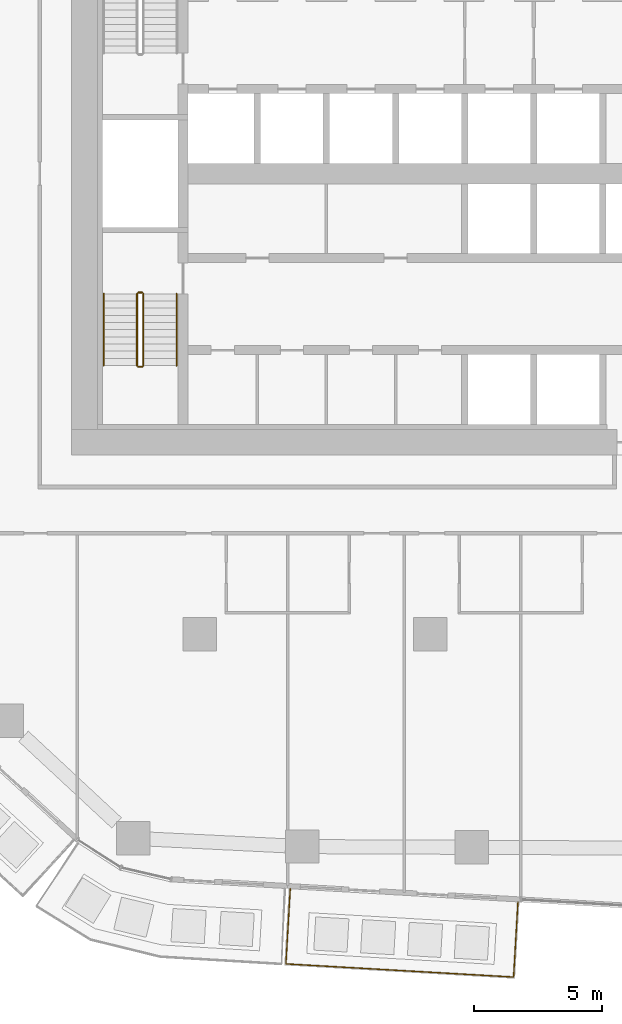
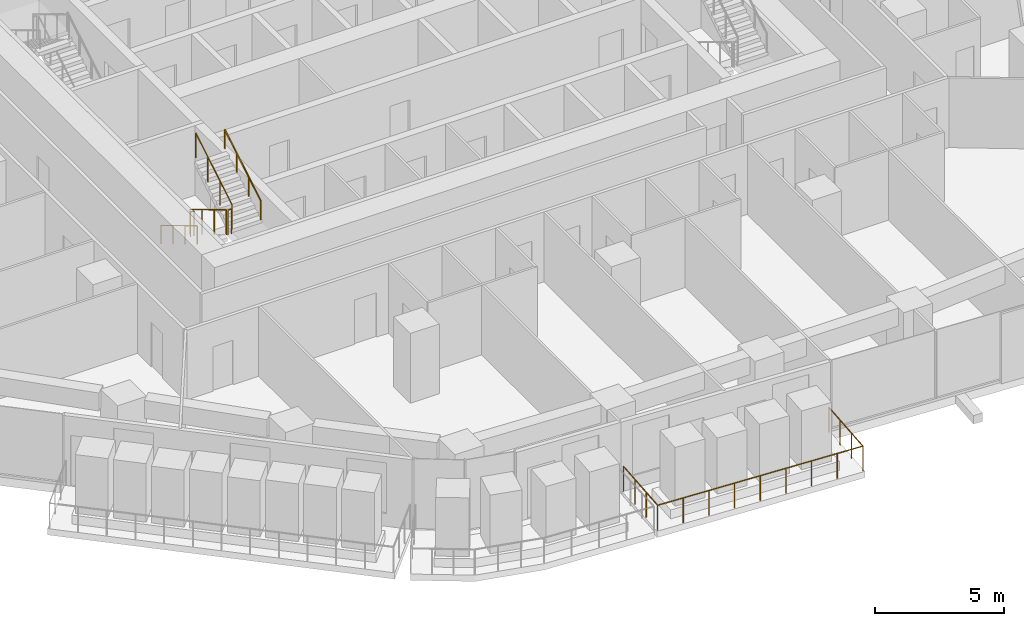
# One storey, part 20 of 24: 7 railings.
"""IFC4 building model written with IfcOpenShell, lengths in metres."""

from ifc_helpers import new_model, si_unit, direction, frame, origin, origin_2d, place, context, subcontext, project, spatial, circle, extrude, material, type_object, element, save


model = new_model("IFC4")

# Units and contexts
model_context = context("Model", 3, precision=1e-05, world=origin(), true_north=direction((0.0, 1.0)))
body_context = subcontext(model_context, "Body", "Model", "MODEL_VIEW")
ifc_project = project(units=[si_unit("LENGTHUNIT", "METRE"), si_unit("AREAUNIT", "SQUARE_METRE"), si_unit("VOLUMEUNIT", "CUBIC_METRE"), si_unit("PLANEANGLEUNIT", "RADIAN"), si_unit("MASSUNIT", "GRAM", prefix="KILO")], contexts=[model_context])

# Site, building, storey
site_placement = place(None, origin())
site = spatial("IfcSite", under=ifc_project, at=site_placement, CompositionType="ELEMENT")
building_placement = place(site_placement, origin())
building = spatial("IfcBuilding", under=site, at=building_placement, Name="Dongbaek Canopy Tower", CompositionType="ELEMENT")
storey_placement = place(building_placement, frame((0.0, 0.0, 117.39990234375)))
storey = spatial("IfcBuildingStorey", under=building, at=storey_placement, Name="L25", CompositionType="ELEMENT", Elevation=117.39990234375)

# Railings
ifc_material_1 = material(Name="Stainless steel", Category="steel")
railing_type_1 = type_object("IfcRailingType", Name="Balcony balustrade 1200", PredefinedType="BALUSTRADE", material=ifc_material_1)
railing_1_placement = place(storey_placement, frame((-5.463134765625, -27.936767578125, 0.0)))
element("IfcRailing", 1, at=railing_1_placement, inside=storey, type_object=railing_type_1, Name="Balcony guard L25 4", PredefinedType="BALUSTRADE", context=body_context, shape_type="SweptSolid", body=[
    extrude(circle(Radius=0.02392578125, at=origin_2d()), frame((0.0, 0.0, 1.17578125), z_axis=(-0.057714318081, -0.998333139532, 0.0), x_axis=(0.998333139532, -0.057714318081, 0.0)), (0.0, 0.0, 1.0), 2.93994140625),
    extrude(circle(Radius=0.02392578125, at=origin_2d()), frame((-0.169677734375, -2.93505859375, 1.17578125), z_axis=(0.998331079931, -0.057749933709, 0.0), x_axis=(0.057749933709, 0.998331079931, 0.0)), (0.0, 0.0, 1.0), 8.907470703125),
    extrude(circle(Radius=0.02392578125, at=origin_2d()), frame((8.722900390625, -3.449462890625, 1.17578125), z_axis=(0.057797083062, 0.99832835139, 0.0), x_axis=(-0.99832835139, 0.057797083062, 0.0)), (0.0, 0.0, 1.0), 2.93994140625),
    extrude(circle(Radius=0.02099609375, at=origin_2d()), origin(), (0.0, 0.0, 1.0), 1.15185546875),
    extrude(circle(Radius=0.02099609375, at=origin_2d()), frame((-0.056640625, -0.978271484375, 0.0)), (0.0, 0.0, 1.0), 1.15185546875),
    extrude(circle(Radius=0.02099609375, at=origin_2d()), frame((-0.113037109375, -1.956787109375, 0.0)), (0.0, 0.0, 1.0), 1.15185546875),
    extrude(circle(Radius=0.02099609375, at=origin_2d()), frame((-0.169677734375, -2.93505859375, 0.0)), (0.0, 0.0, 1.0), 1.15185546875),
    extrude(circle(Radius=0.02099609375, at=origin_2d()), frame((0.94189453125, -2.999267578125, 0.0)), (0.0, 0.0, 1.0), 1.15185546875),
    extrude(circle(Radius=0.02099609375, at=origin_2d()), frame((2.053466796875, -3.063720703125, 0.0)), (0.0, 0.0, 1.0), 1.15185546875),
    extrude(circle(Radius=0.02099609375, at=origin_2d()), frame((3.1650390625, -3.1279296875, 0.0)), (0.0, 0.0, 1.0), 1.15185546875),
    extrude(circle(Radius=0.02099609375, at=origin_2d()), frame((4.276611328125, -3.1923828125, 0.0)), (0.0, 0.0, 1.0), 1.15185546875),
    extrude(circle(Radius=0.02099609375, at=origin_2d()), frame((5.38818359375, -3.256591796875, 0.0)), (0.0, 0.0, 1.0), 1.15185546875),
    extrude(circle(Radius=0.02099609375, at=origin_2d()), frame((6.499755859375, -3.32080078125, 0.0)), (0.0, 0.0, 1.0), 1.15185546875),
    extrude(circle(Radius=0.02099609375, at=origin_2d()), frame((7.611328125, -3.38525390625, 0.0)), (0.0, 0.0, 1.0), 1.15185546875),
    extrude(circle(Radius=0.02099609375, at=origin_2d()), frame((8.722900390625, -3.449462890625, 0.0)), (0.0, 0.0, 1.0), 1.15185546875),
    extrude(circle(Radius=0.02099609375, at=origin_2d()), frame((8.779541015625, -2.47119140625, 0.0)), (0.0, 0.0, 1.0), 1.15185546875),
    extrude(circle(Radius=0.02099609375, at=origin_2d()), frame((8.836181640625, -1.49267578125, 0.0)), (0.0, 0.0, 1.0), 1.15185546875),
    extrude(circle(Radius=0.02099609375, at=origin_2d()), frame((8.892822265625, -0.514404296875, 0.0)), (0.0, 0.0, 1.0), 1.15185546875),
])
ifc_material_2 = material(Name="Stainless steel tube and balusters", Category="steel")
railing_type_2 = type_object("IfcRailingType", Name="Stair guard 1200", PredefinedType="GUARDRAIL", material=ifc_material_2)
railing_2_placement = place(storey_placement, frame((-11.449951171875, -4.699951171875, 0.168212890625)))
element("IfcRailing", 2, at=railing_2_placement, inside=storey, type_object=railing_type_2, Name="L25 ST-D stair guard 1", PredefinedType="GUARDRAIL", context=body_context, shape_type="SweptSolid", body=[
    extrude(circle(Radius=0.02392578125, at=origin_2d()), frame((0.0, 0.0, 1.17578125), z_axis=(0.0, -0.857242210791, 0.514913383045), x_axis=(1.0, 0.0, 0.0)), (0.0, 0.0, 1.0), 3.266357421875),
    extrude(circle(Radius=0.02099609375, at=origin_2d()), origin(), (0.0, 0.0, 1.0), 1.15185546875),
    extrude(circle(Radius=0.02099609375, at=origin_2d()), frame((0.0, -0.933349609375, 0.560546875)), (0.0, 0.0, 1.0), 1.15185546875),
    extrude(circle(Radius=0.02099609375, at=origin_2d()), frame((0.0, -1.86669921875, 1.121337890625)), (0.0, 0.0, 1.0), 1.15185546875),
    extrude(circle(Radius=0.02099609375, at=origin_2d()), frame((0.0, -2.800048828125, 1.681884765625)), (0.0, 0.0, 1.0), 1.15185546875),
])
railing_3_placement = place(storey_placement, frame((-11.39990234375, -7.550048828125, 1.85009765625)))
element("IfcRailing", 3, at=railing_3_placement, inside=storey, type_object=railing_type_2, Name="L25 ST-D stair guard 2", PredefinedType="GUARDRAIL", context=body_context, shape_type="SweptSolid", body=[
    extrude(circle(Radius=0.02392578125, at=origin_2d()), frame((0.0, 0.0, 1.17578125), z_axis=(1.0, 0.0, 0.0), x_axis=(0.0, 1.0, 0.0)), (0.0, 0.0, 1.0), 0.14990234375),
    extrude(circle(Radius=0.02099609375, at=origin_2d()), origin(), (0.0, 0.0, 1.0), 1.15185546875),
    extrude(circle(Radius=0.02099609375, at=origin_2d()), frame((0.14990234375, 0.0, 0.0)), (0.0, 0.0, 1.0), 1.15185546875),
])
railing_4_placement = place(storey_placement, frame((-11.199951171875, -7.5, 2.018310546875)))
element("IfcRailing", 4, at=railing_4_placement, inside=storey, type_object=railing_type_2, Name="L25 ST-D stair guard 3", PredefinedType="GUARDRAIL", context=body_context, shape_type="SweptSolid", body=[
    extrude(circle(Radius=0.02392578125, at=origin_2d()), frame((0.0, 0.0, 1.17578125), z_axis=(0.0, 0.857242210791, 0.514913383045), x_axis=(-1.0, 0.0, 0.0)), (0.0, 0.0, 1.0), 3.266357421875),
    extrude(circle(Radius=0.02099609375, at=origin_2d()), origin(), (0.0, 0.0, 1.0), 1.15185546875),
    extrude(circle(Radius=0.02099609375, at=origin_2d()), frame((0.0, 0.933349609375, 0.560546875)), (0.0, 0.0, 1.0), 1.15185546875),
    extrude(circle(Radius=0.02099609375, at=origin_2d()), frame((0.0, 1.86669921875, 1.121337890625)), (0.0, 0.0, 1.0), 1.15185546875),
    extrude(circle(Radius=0.02099609375, at=origin_2d()), frame((0.0, 2.800048828125, 1.681884765625)), (0.0, 0.0, 1.0), 1.15185546875),
])
railing_5_placement = place(storey_placement, frame((-11.39990234375, -4.64990234375, 0.0)))
element("IfcRailing", 5, at=railing_5_placement, inside=storey, type_object=railing_type_2, Name="L25 ST-D stair guard 4", PredefinedType="GUARDRAIL", context=body_context, shape_type="SweptSolid", body=[
    extrude(circle(Radius=0.02392578125, at=origin_2d()), frame((0.0, 0.0, 1.17578125), z_axis=(1.0, 0.0, 0.0), x_axis=(0.0, 1.0, 0.0)), (0.0, 0.0, 1.0), 0.14990234375),
    extrude(circle(Radius=0.02099609375, at=origin_2d()), origin(), (0.0, 0.0, 1.0), 1.15185546875),
    extrude(circle(Radius=0.02099609375, at=origin_2d()), frame((0.14990234375, 0.0, 0.0)), (0.0, 0.0, 1.0), 1.15185546875),
])
ifc_material_3 = material(Name="Stainless steel tube", Category="steel")
railing_type_3 = type_object("IfcRailingType", Name="Stair handrail 900", PredefinedType="HANDRAIL", material=ifc_material_3)
railing_6_placement = place(storey_placement, frame((-12.75, -4.699951171875, 0.168212890625)))
element("IfcRailing", 6, at=railing_6_placement, inside=storey, type_object=railing_type_3, Name="L25 ST-D stair handrail 1", PredefinedType="HANDRAIL", context=body_context, shape_type="SweptSolid", body=[
    extrude(circle(Radius=0.02392578125, at=origin_2d()), frame((0.0, 0.0, 0.8759765625), z_axis=(0.0, -0.857242210791, 0.514913383045), x_axis=(1.0, 0.0, 0.0)), (0.0, 0.0, 1.0), 3.266357421875),
    extrude(circle(Radius=0.02099609375, at=origin_2d()), origin(), (0.0, 0.0, 1.0), 0.851806640625),
    extrude(circle(Radius=0.02099609375, at=origin_2d()), frame((0.0, -0.933349609375, 0.560546875)), (0.0, 0.0, 1.0), 0.851806640625),
    extrude(circle(Radius=0.02099609375, at=origin_2d()), frame((0.0, -1.86669921875, 1.121337890625)), (0.0, 0.0, 1.0), 0.851806640625),
    extrude(circle(Radius=0.02099609375, at=origin_2d()), frame((0.0, -2.800048828125, 1.681884765625)), (0.0, 0.0, 1.0), 0.851806640625),
])
railing_7_placement = place(storey_placement, frame((-9.89990234375, -7.5, 2.018310546875)))
element("IfcRailing", 7, at=railing_7_placement, inside=storey, type_object=railing_type_3, Name="L25 ST-D stair handrail 2", PredefinedType="HANDRAIL", context=body_context, shape_type="SweptSolid", body=[
    extrude(circle(Radius=0.02392578125, at=origin_2d()), frame((0.0, 0.0, 0.8759765625), z_axis=(0.0, 0.857242210791, 0.514913383045), x_axis=(-1.0, 0.0, 0.0)), (0.0, 0.0, 1.0), 3.266357421875),
    extrude(circle(Radius=0.02099609375, at=origin_2d()), origin(), (0.0, 0.0, 1.0), 0.851806640625),
    extrude(circle(Radius=0.02099609375, at=origin_2d()), frame((0.0, 0.933349609375, 0.560546875)), (0.0, 0.0, 1.0), 0.851806640625),
    extrude(circle(Radius=0.02099609375, at=origin_2d()), frame((0.0, 1.86669921875, 1.121337890625)), (0.0, 0.0, 1.0), 0.851806640625),
    extrude(circle(Radius=0.02099609375, at=origin_2d()), frame((0.0, 2.800048828125, 1.681884765625)), (0.0, 0.0, 1.0), 0.851806640625),
])

save(model, "model.ifc")
